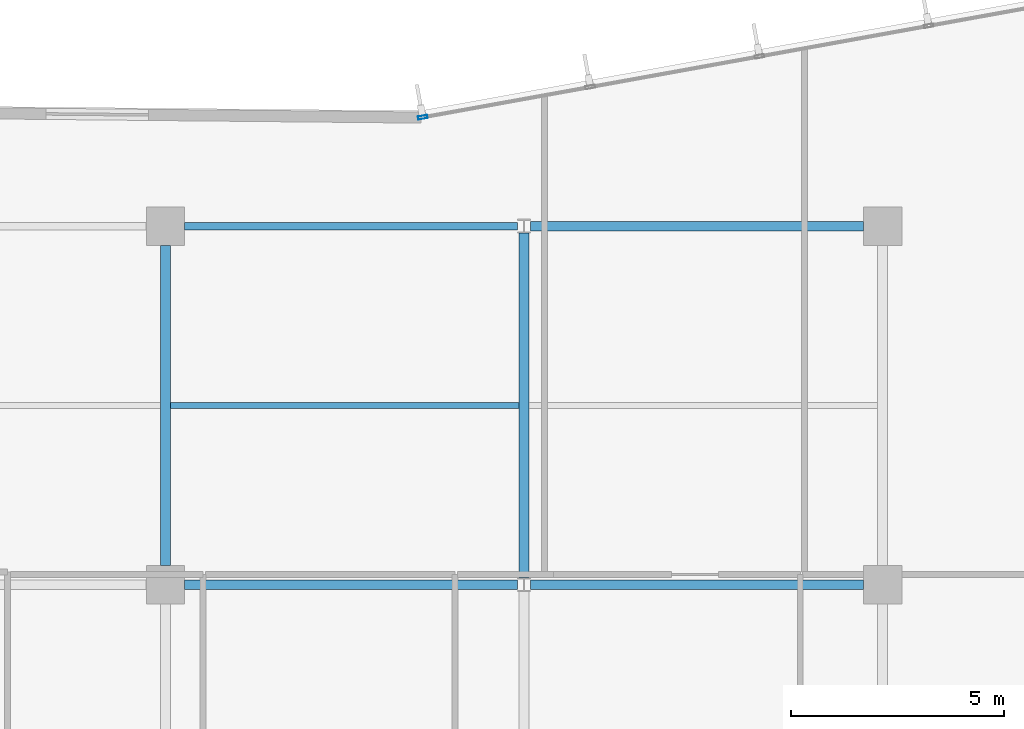
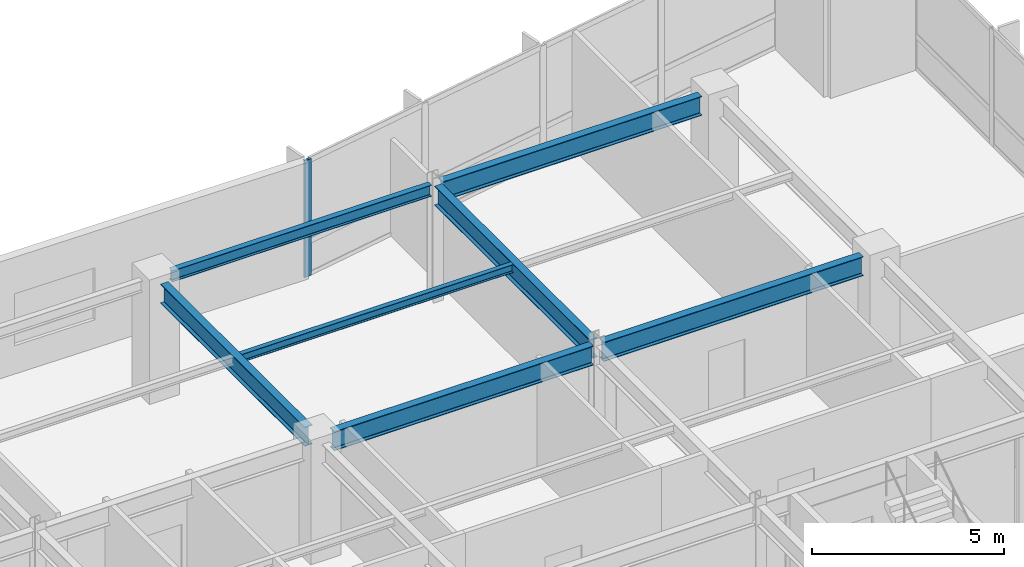
# One storey, part 7 of 21: 7 beams, 1 member, 1 element without a shape of its own.
"""IFC4 building model written with IfcOpenShell, lengths in metres."""

from ifc_helpers import new_model, si_unit, direction, frame, origin, origin_2d, place, context, subcontext, project, spatial, hollow_rectangle, i_section, extrude, material, layer, layer_set, material_profile, profile_set, type_object, element, aggregate, save


model = new_model("IFC4")

# Units and contexts
model_context = context("Model", 3, precision=1e-05, world=origin(), true_north=direction((0.0, 1.0)))
body_context = subcontext(model_context, "Body", "Model", "MODEL_VIEW")
ifc_project = project(units=[si_unit("LENGTHUNIT", "METRE"), si_unit("AREAUNIT", "SQUARE_METRE"), si_unit("VOLUMEUNIT", "CUBIC_METRE"), si_unit("PLANEANGLEUNIT", "RADIAN"), si_unit("MASSUNIT", "GRAM", prefix="KILO")], contexts=[model_context])

# Site, building, storey
site_placement = place(None, origin())
site = spatial("IfcSite", under=ifc_project, at=site_placement, CompositionType="ELEMENT")
building_placement = place(site_placement, origin())
building = spatial("IfcBuilding", under=site, at=building_placement, Name="Varnakote Quay Hospital", CompositionType="ELEMENT")
storey_placement = place(building_placement, frame((0.0, 0.0, 77.800048828125)))
storey = spatial("IfcBuildingStorey", under=building, at=storey_placement, Name="L19", CompositionType="ELEMENT", Elevation=77.800048828125)

# Beams
ifc_material_1 = material(Name="Structural steel AS/NZS 3679.1 Grade 350 L0 (fy 340 MPa)", Category="steel")
ifc_material_profile_1 = material_profile(ifc_material_1, i_section(OverallWidth=0.22900390625, OverallDepth=0.612060546875, WebThickness=0.011962890625, FlangeThickness=0.01953125, FilletRadius=0.013916015625, at=origin_2d()), Name="610UB125")
ifc_profile_set_1 = profile_set([ifc_material_profile_1], Name="Structural steel AS/NZS 3679.1 Grade 350 L0 (fy 340 MPa)")
beam_type_1 = type_object("IfcBeamType", Name="BM-STL-610UB125", PredefinedType="BEAM", material=ifc_profile_set_1)
for number, where, z_axis, x_axis, name in (
    (1, (34.050048828125, 20.39990234375, 3.404052734375), (1.0, 0.0, 0.0), (0.0, 1.0, 0.0), "L19 Primary Floor Beam"),
    (2, (42.155517578125, 20.39990234375, 3.404052734375), (1.0, 0.0, 0.0), (0.0, 1.0, 0.0), "L19 Primary Floor Beam"),
    (3, (42.155517578125, 28.800048828125, 3.404052734375), (1.0, 0.0, 0.0), (0.0, 1.0, 0.0), "L19 Primary Floor Beam"),
):
    element("IfcBeam", number, at=place(storey_placement, frame(where, z_axis=z_axis, x_axis=x_axis)), inside=storey, type_object=beam_type_1, Name=name, PredefinedType="BEAM", context=body_context, shape_type="SweptSolid", body=[
        extrude(i_section(OverallWidth=0.22900390625, OverallDepth=0.612060546875, WebThickness=0.011962890625, FlangeThickness=0.01953125, FilletRadius=0.013916015625, at=origin_2d()), origin(), (0.0, 0.0, 1.0), 7.79443359375),
    ])
beam_1_placement = place(storey_placement, frame((33.60009765625, 20.85009765625, 3.404052734375), z_axis=(0.0, 1.0, 0.0), x_axis=(-1.0, 0.0, 0.0)))
element("IfcBeam", 4, at=beam_1_placement, inside=storey, type_object=beam_type_1, Name="L19 Primary Tie Beam", PredefinedType="BEAM", context=body_context, shape_type="SweptSolid", body=[
    extrude(i_section(OverallWidth=0.22900390625, OverallDepth=0.612060546875, WebThickness=0.011962890625, FlangeThickness=0.01953125, FilletRadius=0.013916015625, at=origin_2d()), origin(), (0.0, 0.0, 1.0), 7.5),
])
beam_2_placement = place(storey_placement, frame((42.0, 20.5634765625, 3.404052734375), z_axis=(0.0, 1.0, 0.0), x_axis=(-1.0, 0.0, 0.0)))
element("IfcBeam", 5, at=beam_2_placement, inside=storey, type_object=beam_type_1, Name="L19 Primary Tie Beam", PredefinedType="BEAM", context=body_context, shape_type="SweptSolid", body=[
    extrude(i_section(OverallWidth=0.22900390625, OverallDepth=0.612060546875, WebThickness=0.011962890625, FlangeThickness=0.01953125, FilletRadius=0.013916015625, at=origin_2d()), origin(), (0.0, 0.0, 1.0), 8.072998046875),
])

# Curtain wall, member
ifc_material_2 = material(Name="Anodised aluminium 6063-T6 Bronze", Category="aluminium")
ifc_layer = layer(ifc_material_2, 0.18994140625)
ifc_layer_set = layer_set([ifc_layer], Name="Anodised aluminium 6063-T6 Bronze")
curtain_wall_type = type_object("IfcCurtainWallType", Name="CW-SYS-2", PredefinedType="NOTDEFINED", material=ifc_layer_set)
curtain_wall_placement = place(storey_placement, origin())
curtain_wall = element("IfcCurtainWall", 6, at=curtain_wall_placement, inside=storey, type_object=curtain_wall_type, Name="L19 Unitised Bronze Curtain Wall 2", PredefinedType="NOTDEFINED")
ifc_material_3 = material(Name="Anodised aluminium 6063-T6 Bronze", Category="aluminium")
ifc_material_profile_2 = material_profile(ifc_material_3, hollow_rectangle(XDim=0.074951171875, YDim=0.219970703125, WallThickness=0.00439453125, InnerFilletRadius=0.00439453125, OuterFilletRadius=0.009033203125, at=origin_2d()), Name="CW-MULL-220x75")
ifc_profile_set_2 = profile_set([ifc_material_profile_2], Name="Anodised aluminium 6063-T6 Bronze")
member_type = type_object("IfcMemberType", Name="CW-MULL-220x75", PredefinedType="MULLION", material=ifc_profile_set_2)
member_placement = place(storey_placement, frame((39.62646484375, 31.3505859375, 0.0), z_axis=(0.0, 0.0, 1.0), x_axis=(0.177846199098, -0.984058295766, 0.0)))
member = element("IfcMember", 7, at=member_placement, type_object=member_type, Name="-2-L19-2 mullion 5", PredefinedType="MULLION", context=body_context, shape_type="SweptSolid", body=[
    extrude(hollow_rectangle(XDim=0.074951171875, YDim=0.219970703125, WallThickness=0.00439453125, InnerFilletRadius=0.00439453125, OuterFilletRadius=0.009033203125, at=origin_2d()), origin(), (0.0, 0.0, 1.0), 3.7099609375),
])
aggregate(curtain_wall, [member])

# Beams
ifc_material_4 = material(Name="Structural steel AS/NZS 3679.1 Grade 350 L0 (fy 340 MPa)", Category="steel")
ifc_material_profile_3 = material_profile(ifc_material_4, i_section(OverallWidth=0.14599609375, OverallDepth=0.256103515625, WebThickness=0.00634765625, FlangeThickness=0.010986328125, FilletRadius=0.0087890625, at=origin_2d()), Name="250UB37.3")
ifc_profile_set_3 = profile_set([ifc_material_profile_3], Name="Structural steel AS/NZS 3679.1 Grade 350 L0 (fy 340 MPa)")
beam_type_2 = type_object("IfcBeamType", Name="JST-STL-250UB37-3", PredefinedType="JOIST", material=ifc_profile_set_3)
beam_3_placement = place(storey_placement, frame((33.714599609375, 24.60009765625, 3.58203125), z_axis=(1.0, 0.0, 0.0), x_axis=(0.0, 1.0, 0.0)))
element("IfcBeam", 8, at=beam_3_placement, inside=storey, type_object=beam_type_2, Name="L19 Composite Floor Joist", PredefinedType="JOIST", context=body_context, shape_type="SweptSolid", body=[
    extrude(i_section(OverallWidth=0.14599609375, OverallDepth=0.256103515625, WebThickness=0.00634765625, FlangeThickness=0.010986328125, FilletRadius=0.0087890625, at=origin_2d()), origin(), (0.0, 0.0, 1.0), 8.1708984375),
])
ifc_material_5 = material(Name="Structural steel AS/NZS 3679.1 Grade 350 L0 (fy 340 MPa)", Category="steel")
ifc_material_profile_4 = material_profile(ifc_material_5, i_section(OverallWidth=0.172119140625, OverallDepth=0.35888671875, WebThickness=0.008056640625, FlangeThickness=0.012939453125, FilletRadius=0.011474609375, at=origin_2d()), Name="360UB56.7")
ifc_profile_set_4 = profile_set([ifc_material_profile_4], Name="Structural steel AS/NZS 3679.1 Grade 350 L0 (fy 340 MPa)")
beam_type_3 = type_object("IfcBeamType", Name="SPN-STL-360UB56-7", PredefinedType="SPANDREL", material=ifc_profile_set_4)
beam_4_placement = place(storey_placement, frame((34.050048828125, 28.800048828125, 3.530517578125), z_axis=(1.0, 0.0, 0.0), x_axis=(0.0, 1.0, 0.0)))
element("IfcBeam", 9, at=beam_4_placement, inside=storey, type_object=beam_type_3, Name="L19 Perimeter Spandrel Beam", PredefinedType="SPANDREL", context=body_context, shape_type="SweptSolid", body=[
    extrude(i_section(OverallWidth=0.172119140625, OverallDepth=0.35888671875, WebThickness=0.008056640625, FlangeThickness=0.012939453125, FilletRadius=0.011474609375, at=origin_2d()), origin(), (0.0, 0.0, 1.0), 7.79443359375),
])

save(model, "model.ifc")
